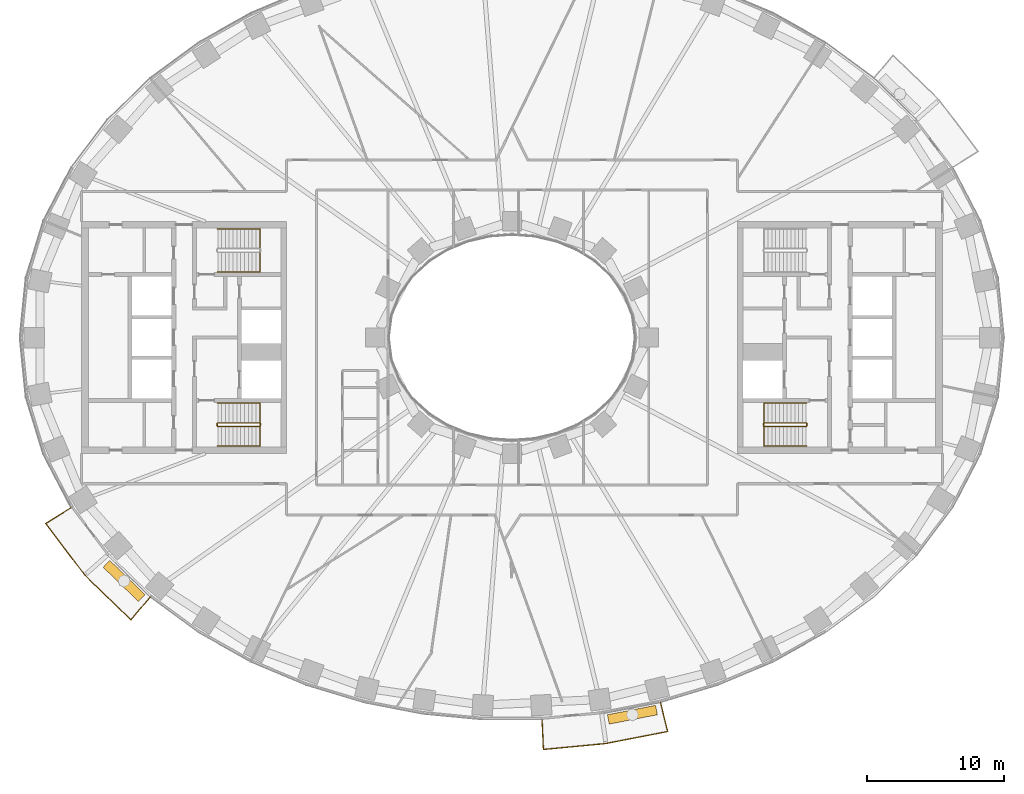
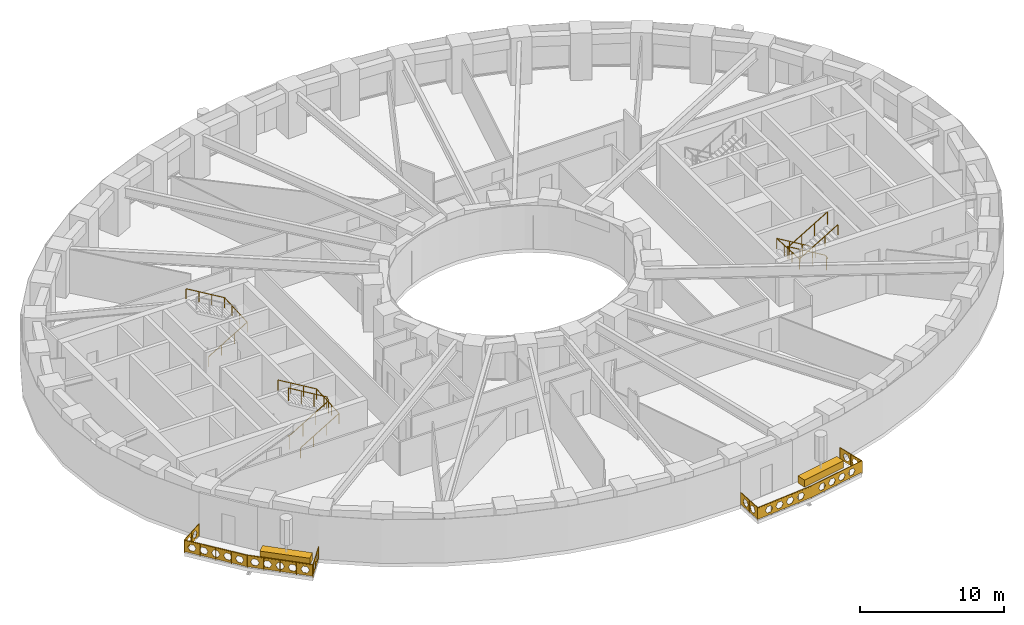
# One storey, part 14 of 16: 7 railings, 2 coverings.
"""IFC4 building model written with IfcOpenShell, lengths in metres."""

from ifc_helpers import new_model, si_unit, direction, frame, origin, origin_2d, place, context, subcontext, project, spatial, polyline, rectangle, outline, extrude, material, type_object, element, save


model = new_model("IFC4")

# Units and contexts
model_context = context("Model", 3, precision=1e-05, world=origin(), true_north=direction((0.0, 1.0)))
body_context = subcontext(model_context, "Body", "Model", "MODEL_VIEW")
ifc_project = project(units=[si_unit("LENGTHUNIT", "METRE"), si_unit("AREAUNIT", "SQUARE_METRE"), si_unit("VOLUMEUNIT", "CUBIC_METRE"), si_unit("PLANEANGLEUNIT", "RADIAN"), si_unit("MASSUNIT", "GRAM", prefix="KILO")], contexts=[model_context])

# Site, building, storey
site_placement = place(None, origin())
site = spatial("IfcSite", under=ifc_project, at=site_placement, CompositionType="ELEMENT")
building_placement = place(site_placement, origin())
building = spatial("IfcBuilding", under=site, at=building_placement, Name="Noorbagh Ring Tower", CompositionType="ELEMENT")
storey_placement = place(building_placement, frame((0.0, 0.0, 54.5)))
storey = spatial("IfcBuildingStorey", under=building, at=storey_placement, Name="L11", CompositionType="ELEMENT", Elevation=54.5)

# Railings
ifc_material_1 = material(Name="Stainless steel", Category="steel")
railing_type_1 = type_object("IfcRailingType", Name="CORE-STAIR-GUARD", PredefinedType="GUARDRAIL", material=ifc_material_1)
railing_1_placement = place(storey_placement, frame((-21.580078125, -6.449951171875, 0.0)))
element("IfcRailing", 1, at=railing_1_placement, inside=storey, type_object=railing_type_1, Name="L11 ST2 stair guard", PredefinedType="GUARDRAIL", context=body_context, shape_type="SweptSolid", body=[
    extrude(rectangle(XDim=0.048095703125, YDim=0.048095703125, at=origin_2d()), frame((0.0, 0.0, 1.076171875), z_axis=(0.0, 1.0, 0.0), x_axis=(-1.0, 0.0, 0.0)), (0.0, 0.0, 1.0), 0.14990234375),
    extrude(rectangle(XDim=0.048095703125, YDim=0.048095703125, at=origin_2d()), frame((0.0, 0.14990234375, 1.076171875), z_axis=(0.188775798145, -0.754182335027, 0.628945707965), x_axis=(0.970072785993, 0.242814311512, 0.0)), (0.0, 0.0, 1.0), 0.26513671875),
    extrude(rectangle(XDim=0.048095703125, YDim=0.048095703125, at=origin_2d()), frame((0.050048828125, -0.050048828125, 1.24267578125), z_axis=(0.859308565015, 0.0, 0.511457515432), x_axis=(0.0, 1.0, 0.0)), (0.0, 0.0, 1.0), 3.58447265625),
    extrude(rectangle(XDim=0.048095703125, YDim=0.048095703125, at=origin_2d()), frame((3.130126953125, -0.050048828125, 3.076171875), z_axis=(0.707106781187, 0.707106781187, 0.0), x_axis=(-0.707106781187, 0.707106781187, 0.0)), (0.0, 0.0, 1.0), 0.07080078125),
    extrude(rectangle(XDim=0.048095703125, YDim=0.048095703125, at=origin_2d()), frame((3.18017578125, 0.0, 3.076171875), z_axis=(0.0, 1.0, 0.0), x_axis=(-1.0, 0.0, 0.0)), (0.0, 0.0, 1.0), 0.14990234375),
    extrude(rectangle(XDim=0.048095703125, YDim=0.048095703125, at=origin_2d()), frame((3.18017578125, 0.14990234375, 3.076171875), z_axis=(-0.27628659633, 0.27628659633, 0.920506074601), x_axis=(-0.707106781187, -0.707106781187, 0.0)), (0.0, 0.0, 1.0), 0.18115234375),
    extrude(rectangle(XDim=0.048095703125, YDim=0.048095703125, at=origin_2d()), frame((3.130126953125, 0.199951171875, 3.24267578125), z_axis=(-0.859308565015, 0.0, 0.511457515432), x_axis=(0.0, -1.0, 0.0)), (0.0, 0.0, 1.0), 3.58447265625),
    extrude(rectangle(XDim=0.0419921875, YDim=0.0419921875, at=origin_2d()), origin(), (0.0, 0.0, 1.0), 1.052001953125),
    extrude(rectangle(XDim=0.0419921875, YDim=0.0419921875, at=origin_2d()), frame((1.07666015625, -0.050048828125, 0.77783203125)), (0.0, 0.0, 1.0), 1.052001953125),
    extrude(rectangle(XDim=0.0419921875, YDim=0.0419921875, at=origin_2d()), frame((2.103515625, -0.050048828125, 1.388916015625)), (0.0, 0.0, 1.0), 1.052001953125),
    extrude(rectangle(XDim=0.0419921875, YDim=0.0419921875, at=origin_2d()), frame((3.130126953125, -0.050048828125, 2.0)), (0.0, 0.0, 1.0), 1.052001953125),
    extrude(rectangle(XDim=0.0419921875, YDim=0.0419921875, at=origin_2d()), frame((3.130126953125, 0.199951171875, 2.166748046875)), (0.0, 0.0, 1.0), 1.052001953125),
    extrude(rectangle(XDim=0.0419921875, YDim=0.0419921875, at=origin_2d()), frame((2.103515625, 0.199951171875, 2.77783203125)), (0.0, 0.0, 1.0), 1.052001953125),
    extrude(rectangle(XDim=0.0419921875, YDim=0.0419921875, at=origin_2d()), frame((1.07666015625, 0.199951171875, 3.388916015625)), (0.0, 0.0, 1.0), 1.052001953125),
    extrude(rectangle(XDim=0.0419921875, YDim=0.0419921875, at=origin_2d()), frame((0.050048828125, 0.199951171875, 4.0)), (0.0, 0.0, 1.0), 1.052001953125),
])
railing_2_placement = place(storey_placement, frame((21.580078125, -6.300048828125, 0.0)))
element("IfcRailing", 2, at=railing_2_placement, inside=storey, type_object=railing_type_1, Name="L11 ST4 stair guard", PredefinedType="GUARDRAIL", context=body_context, shape_type="SweptSolid", body=[
    extrude(rectangle(XDim=0.048095703125, YDim=0.048095703125, at=origin_2d()), frame((0.0, 0.0, 1.076171875), z_axis=(0.0, -1.0, 0.0), x_axis=(1.0, 0.0, 0.0)), (0.0, 0.0, 1.0), 0.14990234375),
    extrude(rectangle(XDim=0.048095703125, YDim=0.048095703125, at=origin_2d()), frame((0.0, -0.14990234375, 1.076171875), z_axis=(-0.188775798145, 0.754182335027, 0.628945707965), x_axis=(-0.970072785993, -0.242814311512, 0.0)), (0.0, 0.0, 1.0), 0.26513671875),
    extrude(rectangle(XDim=0.048095703125, YDim=0.048095703125, at=origin_2d()), frame((-0.050048828125, 0.050048828125, 1.24267578125), z_axis=(-0.859308565015, 0.0, 0.511457515432), x_axis=(0.0, -1.0, 0.0)), (0.0, 0.0, 1.0), 3.58447265625),
    extrude(rectangle(XDim=0.048095703125, YDim=0.048095703125, at=origin_2d()), frame((-3.130126953125, 0.050048828125, 3.076171875), z_axis=(-0.707106781187, -0.707106781187, 0.0), x_axis=(0.707106781187, -0.707106781187, 0.0)), (0.0, 0.0, 1.0), 0.07080078125),
    extrude(rectangle(XDim=0.048095703125, YDim=0.048095703125, at=origin_2d()), frame((-3.18017578125, 0.0, 3.076171875), z_axis=(0.0, -1.0, 0.0), x_axis=(1.0, 0.0, 0.0)), (0.0, 0.0, 1.0), 0.14990234375),
    extrude(rectangle(XDim=0.048095703125, YDim=0.048095703125, at=origin_2d()), frame((-3.18017578125, -0.14990234375, 3.076171875), z_axis=(0.27628659633, -0.27628659633, 0.920506074601), x_axis=(0.707106781187, 0.707106781187, 0.0)), (0.0, 0.0, 1.0), 0.18115234375),
    extrude(rectangle(XDim=0.048095703125, YDim=0.048095703125, at=origin_2d()), frame((-3.130126953125, -0.199951171875, 3.24267578125), z_axis=(0.859308565015, 0.0, 0.511457515432), x_axis=(0.0, 1.0, 0.0)), (0.0, 0.0, 1.0), 3.58447265625),
    extrude(rectangle(XDim=0.0419921875, YDim=0.0419921875, at=origin_2d()), origin(), (0.0, 0.0, 1.0), 1.052001953125),
    extrude(rectangle(XDim=0.0419921875, YDim=0.0419921875, at=origin_2d()), frame((-1.07666015625, 0.050048828125, 0.77783203125)), (0.0, 0.0, 1.0), 1.052001953125),
    extrude(rectangle(XDim=0.0419921875, YDim=0.0419921875, at=origin_2d()), frame((-2.103515625, 0.050048828125, 1.388916015625)), (0.0, 0.0, 1.0), 1.052001953125),
    extrude(rectangle(XDim=0.0419921875, YDim=0.0419921875, at=origin_2d()), frame((-3.130126953125, 0.050048828125, 2.0)), (0.0, 0.0, 1.0), 1.052001953125),
    extrude(rectangle(XDim=0.0419921875, YDim=0.0419921875, at=origin_2d()), frame((-3.130126953125, -0.199951171875, 2.166748046875)), (0.0, 0.0, 1.0), 1.052001953125),
    extrude(rectangle(XDim=0.0419921875, YDim=0.0419921875, at=origin_2d()), frame((-2.103515625, -0.199951171875, 2.77783203125)), (0.0, 0.0, 1.0), 1.052001953125),
    extrude(rectangle(XDim=0.0419921875, YDim=0.0419921875, at=origin_2d()), frame((-1.07666015625, -0.199951171875, 3.388916015625)), (0.0, 0.0, 1.0), 1.052001953125),
    extrude(rectangle(XDim=0.0419921875, YDim=0.0419921875, at=origin_2d()), frame((-0.050048828125, -0.199951171875, 4.0)), (0.0, 0.0, 1.0), 1.052001953125),
])
ifc_material_2 = material(Name="Stainless steel", Category="steel")
railing_type_2 = type_object("IfcRailingType", Name="CORE-STAIR-HANDRAIL", PredefinedType="HANDRAIL", material=ifc_material_2)
railing_3_placement = place(storey_placement, frame((-21.530029296875, 4.800048828125, 0.166748046875)))
element("IfcRailing", 3, at=railing_3_placement, inside=storey, type_object=railing_type_2, Name="L11 ST1 stair handrail", PredefinedType="HANDRAIL", context=body_context, shape_type="SweptSolid", body=[
    extrude(rectangle(XDim=0.048095703125, YDim=0.048095703125, at=origin_2d()), frame((0.0, 0.0, 0.8759765625), z_axis=(0.859308565015, 0.0, 0.511457515432), x_axis=(0.0, 1.0, 0.0)), (0.0, 0.0, 1.0), 3.58447265625),
    extrude(rectangle(XDim=0.048095703125, YDim=0.048095703125, at=origin_2d()), frame((3.080078125, 0.0, 2.708984375), z_axis=(0.0, 0.998601747152, 0.052863509014), x_axis=(-1.0, 0.0, 0.0)), (0.0, 0.0, 1.0), 3.154296875),
    extrude(rectangle(XDim=0.048095703125, YDim=0.048095703125, at=origin_2d()), frame((3.080078125, 3.14990234375, 2.8759765625), z_axis=(-0.859308565015, 0.0, 0.511457515432), x_axis=(0.0, -1.0, 0.0)), (0.0, 0.0, 1.0), 3.58447265625),
    extrude(rectangle(XDim=0.0419921875, YDim=0.0419921875, at=origin_2d()), origin(), (0.0, 0.0, 1.0), 0.851806640625),
    extrude(rectangle(XDim=0.0419921875, YDim=0.0419921875, at=origin_2d()), frame((1.026611328125, 0.0, 0.611083984375)), (0.0, 0.0, 1.0), 0.851806640625),
    extrude(rectangle(XDim=0.0419921875, YDim=0.0419921875, at=origin_2d()), frame((2.053466796875, 0.0, 1.22216796875)), (0.0, 0.0, 1.0), 0.851806640625),
    extrude(rectangle(XDim=0.0419921875, YDim=0.0419921875, at=origin_2d()), frame((3.080078125, 0.0, 1.833251953125)), (0.0, 0.0, 1.0), 0.851806640625),
    extrude(rectangle(XDim=0.0419921875, YDim=0.0419921875, at=origin_2d()), frame((3.080078125, 1.050048828125, 1.888916015625)), (0.0, 0.0, 1.0), 0.851806640625),
    extrude(rectangle(XDim=0.0419921875, YDim=0.0419921875, at=origin_2d()), frame((3.080078125, 2.099853515625, 1.9443359375)), (0.0, 0.0, 1.0), 0.851806640625),
    extrude(rectangle(XDim=0.0419921875, YDim=0.0419921875, at=origin_2d()), frame((3.080078125, 3.14990234375, 2.0)), (0.0, 0.0, 1.0), 0.851806640625),
    extrude(rectangle(XDim=0.0419921875, YDim=0.0419921875, at=origin_2d()), frame((2.053466796875, 3.14990234375, 2.611083984375)), (0.0, 0.0, 1.0), 0.851806640625),
    extrude(rectangle(XDim=0.0419921875, YDim=0.0419921875, at=origin_2d()), frame((1.026611328125, 3.14990234375, 3.22216796875)), (0.0, 0.0, 1.0), 0.851806640625),
    extrude(rectangle(XDim=0.0419921875, YDim=0.0419921875, at=origin_2d()), frame((0.0, 3.14990234375, 3.833251953125)), (0.0, 0.0, 1.0), 0.851806640625),
])
railing_4_placement = place(storey_placement, frame((-21.530029296875, -7.949951171875, 0.166748046875)))
element("IfcRailing", 4, at=railing_4_placement, inside=storey, type_object=railing_type_2, Name="L11 ST2 stair handrail", PredefinedType="HANDRAIL", context=body_context, shape_type="SweptSolid", body=[
    extrude(rectangle(XDim=0.048095703125, YDim=0.048095703125, at=origin_2d()), frame((0.0, 0.0, 0.8759765625), z_axis=(0.859308565015, 0.0, 0.511457515432), x_axis=(0.0, 1.0, 0.0)), (0.0, 0.0, 1.0), 3.58447265625),
    extrude(rectangle(XDim=0.048095703125, YDim=0.048095703125, at=origin_2d()), frame((3.080078125, 0.0, 2.708984375), z_axis=(0.0, 0.998601747152, 0.052863509014), x_axis=(-1.0, 0.0, 0.0)), (0.0, 0.0, 1.0), 3.154296875),
    extrude(rectangle(XDim=0.048095703125, YDim=0.048095703125, at=origin_2d()), frame((3.080078125, 3.14990234375, 2.8759765625), z_axis=(-0.859308565015, 0.0, 0.511457515432), x_axis=(0.0, -1.0, 0.0)), (0.0, 0.0, 1.0), 3.58447265625),
    extrude(rectangle(XDim=0.0419921875, YDim=0.0419921875, at=origin_2d()), origin(), (0.0, 0.0, 1.0), 0.851806640625),
    extrude(rectangle(XDim=0.0419921875, YDim=0.0419921875, at=origin_2d()), frame((1.026611328125, 0.0, 0.611083984375)), (0.0, 0.0, 1.0), 0.851806640625),
    extrude(rectangle(XDim=0.0419921875, YDim=0.0419921875, at=origin_2d()), frame((2.053466796875, 0.0, 1.22216796875)), (0.0, 0.0, 1.0), 0.851806640625),
    extrude(rectangle(XDim=0.0419921875, YDim=0.0419921875, at=origin_2d()), frame((3.080078125, 0.0, 1.833251953125)), (0.0, 0.0, 1.0), 0.851806640625),
    extrude(rectangle(XDim=0.0419921875, YDim=0.0419921875, at=origin_2d()), frame((3.080078125, 1.050048828125, 1.888916015625)), (0.0, 0.0, 1.0), 0.851806640625),
    extrude(rectangle(XDim=0.0419921875, YDim=0.0419921875, at=origin_2d()), frame((3.080078125, 2.099853515625, 1.9443359375)), (0.0, 0.0, 1.0), 0.851806640625),
    extrude(rectangle(XDim=0.0419921875, YDim=0.0419921875, at=origin_2d()), frame((3.080078125, 3.14990234375, 2.0)), (0.0, 0.0, 1.0), 0.851806640625),
    extrude(rectangle(XDim=0.0419921875, YDim=0.0419921875, at=origin_2d()), frame((2.053466796875, 3.14990234375, 2.611083984375)), (0.0, 0.0, 1.0), 0.851806640625),
    extrude(rectangle(XDim=0.0419921875, YDim=0.0419921875, at=origin_2d()), frame((1.026611328125, 3.14990234375, 3.22216796875)), (0.0, 0.0, 1.0), 0.851806640625),
    extrude(rectangle(XDim=0.0419921875, YDim=0.0419921875, at=origin_2d()), frame((0.0, 3.14990234375, 3.833251953125)), (0.0, 0.0, 1.0), 0.851806640625),
])
railing_5_placement = place(storey_placement, frame((21.530029296875, -4.800048828125, 0.166748046875)))
element("IfcRailing", 5, at=railing_5_placement, inside=storey, type_object=railing_type_2, Name="L11 ST4 stair handrail", PredefinedType="HANDRAIL", context=body_context, shape_type="SweptSolid", body=[
    extrude(rectangle(XDim=0.048095703125, YDim=0.048095703125, at=origin_2d()), frame((0.0, 0.0, 0.8759765625), z_axis=(-0.859308565015, 0.0, 0.511457515432), x_axis=(0.0, -1.0, 0.0)), (0.0, 0.0, 1.0), 3.58447265625),
    extrude(rectangle(XDim=0.048095703125, YDim=0.048095703125, at=origin_2d()), frame((-3.080078125, 0.0, 2.708984375), z_axis=(0.0, -0.998601747152, 0.052863509014), x_axis=(1.0, 0.0, 0.0)), (0.0, 0.0, 1.0), 3.154296875),
    extrude(rectangle(XDim=0.048095703125, YDim=0.048095703125, at=origin_2d()), frame((-3.080078125, -3.14990234375, 2.8759765625), z_axis=(0.859308565015, 0.0, 0.511457515432), x_axis=(0.0, 1.0, 0.0)), (0.0, 0.0, 1.0), 3.58447265625),
    extrude(rectangle(XDim=0.0419921875, YDim=0.0419921875, at=origin_2d()), origin(), (0.0, 0.0, 1.0), 0.851806640625),
    extrude(rectangle(XDim=0.0419921875, YDim=0.0419921875, at=origin_2d()), frame((-1.026611328125, 0.0, 0.611083984375)), (0.0, 0.0, 1.0), 0.851806640625),
    extrude(rectangle(XDim=0.0419921875, YDim=0.0419921875, at=origin_2d()), frame((-2.053466796875, 0.0, 1.22216796875)), (0.0, 0.0, 1.0), 0.851806640625),
    extrude(rectangle(XDim=0.0419921875, YDim=0.0419921875, at=origin_2d()), frame((-3.080078125, 0.0, 1.833251953125)), (0.0, 0.0, 1.0), 0.851806640625),
    extrude(rectangle(XDim=0.0419921875, YDim=0.0419921875, at=origin_2d()), frame((-3.080078125, -1.050048828125, 1.888916015625)), (0.0, 0.0, 1.0), 0.851806640625),
    extrude(rectangle(XDim=0.0419921875, YDim=0.0419921875, at=origin_2d()), frame((-3.080078125, -2.099853515625, 1.9443359375)), (0.0, 0.0, 1.0), 0.851806640625),
    extrude(rectangle(XDim=0.0419921875, YDim=0.0419921875, at=origin_2d()), frame((-3.080078125, -3.14990234375, 2.0)), (0.0, 0.0, 1.0), 0.851806640625),
    extrude(rectangle(XDim=0.0419921875, YDim=0.0419921875, at=origin_2d()), frame((-2.053466796875, -3.14990234375, 2.611083984375)), (0.0, 0.0, 1.0), 0.851806640625),
    extrude(rectangle(XDim=0.0419921875, YDim=0.0419921875, at=origin_2d()), frame((-1.026611328125, -3.14990234375, 3.22216796875)), (0.0, 0.0, 1.0), 0.851806640625),
    extrude(rectangle(XDim=0.0419921875, YDim=0.0419921875, at=origin_2d()), frame((0.0, -3.14990234375, 3.833251953125)), (0.0, 0.0, 1.0), 0.851806640625),
])
ifc_material_3 = material(Name="Steel S275 black powder-coated", Category="steel")
railing_type_3 = type_object("IfcRailingType", Name="ENV-GUARD", PredefinedType="GUARDRAIL", material=ifc_material_3)
railing_6_placement = place(storey_placement, frame((-32.255126953125, -12.434814453125, 0.0)))
element("IfcRailing", 6, at=railing_6_placement, inside=storey, type_object=railing_type_3, Name="Balcony guard BS01", PredefinedType="GUARDRAIL", context=body_context, shape_type="SweptSolid", body=[
    extrude(rectangle(XDim=0.048095703125, YDim=0.048095703125, at=origin_2d()), frame((0.0, 0.0, 1.076171875), z_axis=(-0.844852397829, -0.534999463442, 0.0), x_axis=(0.534999463442, -0.844852397829, 0.0)), (0.0, 0.0, 1.0), 2.207763671875),
    extrude(rectangle(XDim=0.048095703125, YDim=0.048095703125, at=origin_2d()), frame((-1.865234375, -1.18115234375, 1.076171875), z_axis=(0.604001613322, -0.796983093362, 0.0), x_axis=(0.796983093362, 0.604001613322, 0.0)), (0.0, 0.0, 1.0), 4.7353515625),
    extrude(rectangle(XDim=0.048095703125, YDim=0.048095703125, at=origin_2d()), frame((0.994873046875, -4.955078125, 1.076171875), z_axis=(0.717212632946, -0.696854388766, 0.0), x_axis=(0.696854388766, 0.717212632946, 0.0)), (0.0, 0.0, 1.0), 4.700927734375),
    extrude(rectangle(XDim=0.048095703125, YDim=0.048095703125, at=origin_2d()), frame((4.366455078125, -8.23095703125, 1.076171875), z_axis=(0.646413574048, 0.762987215677, 0.0), x_axis=(-0.762987215677, 0.646413574048, 0.0)), (0.0, 0.0, 1.0), 2.205322265625),
    extrude(rectangle(XDim=0.0419921875, YDim=0.0419921875, at=origin_2d()), origin(), (0.0, 0.0, 1.0), 1.052001953125),
    extrude(rectangle(XDim=0.0419921875, YDim=0.0419921875, at=origin_2d()), frame((-0.9326171875, -0.590576171875, 0.0)), (0.0, 0.0, 1.0), 1.052001953125),
    extrude(rectangle(XDim=0.0419921875, YDim=0.0419921875, at=origin_2d()), frame((-1.865234375, -1.18115234375, 0.0)), (0.0, 0.0, 1.0), 1.052001953125),
    extrude(rectangle(XDim=0.0419921875, YDim=0.0419921875, at=origin_2d()), frame((-1.150146484375, -2.12451171875, 0.0)), (0.0, 0.0, 1.0), 1.052001953125),
    extrude(rectangle(XDim=0.0419921875, YDim=0.0419921875, at=origin_2d()), frame((-0.43505859375, -3.068115234375, 0.0)), (0.0, 0.0, 1.0), 1.052001953125),
    extrude(rectangle(XDim=0.0419921875, YDim=0.0419921875, at=origin_2d()), frame((0.27978515625, -4.01171875, 0.0)), (0.0, 0.0, 1.0), 1.052001953125),
    extrude(rectangle(XDim=0.0419921875, YDim=0.0419921875, at=origin_2d()), frame((0.994873046875, -4.955078125, 0.0)), (0.0, 0.0, 1.0), 1.052001953125),
    extrude(rectangle(XDim=0.0419921875, YDim=0.0419921875, at=origin_2d()), frame((1.837890625, -5.77392578125, 0.0)), (0.0, 0.0, 1.0), 1.052001953125),
    extrude(rectangle(XDim=0.0419921875, YDim=0.0419921875, at=origin_2d()), frame((2.6806640625, -6.593017578125, 0.0)), (0.0, 0.0, 1.0), 1.052001953125),
    extrude(rectangle(XDim=0.0419921875, YDim=0.0419921875, at=origin_2d()), frame((3.5234375, -7.412109375, 0.0)), (0.0, 0.0, 1.0), 1.052001953125),
    extrude(rectangle(XDim=0.0419921875, YDim=0.0419921875, at=origin_2d()), frame((4.366455078125, -8.23095703125, 0.0)), (0.0, 0.0, 1.0), 1.052001953125),
    extrude(rectangle(XDim=0.0419921875, YDim=0.0419921875, at=origin_2d()), frame((5.0791015625, -7.3896484375, 0.0)), (0.0, 0.0, 1.0), 1.052001953125),
    extrude(rectangle(XDim=0.0419921875, YDim=0.0419921875, at=origin_2d()), frame((5.7919921875, -6.54833984375, 0.0)), (0.0, 0.0, 1.0), 1.052001953125),
    extrude(outline(polyline([(0.0, 0.10009765625), (2.207763671875, 0.10009765625), (2.207763671875, 1.031982421875), (0.0, 1.031982421875), (0.0, 0.10009765625)]), holes=[polyline([(0.9638671875, 0.56591796875), (0.808837890625, 0.83447265625), (0.498779296875, 0.83447265625), (0.343994140625, 0.56591796875), (0.498779296875, 0.297607421875), (0.808837890625, 0.297607421875), (0.9638671875, 0.56591796875)]), polyline([(1.86376953125, 0.56591796875), (1.708984375, 0.83447265625), (1.39892578125, 0.83447265625), (1.243896484375, 0.56591796875), (1.39892578125, 0.297607421875), (1.708984375, 0.297607421875), (1.86376953125, 0.56591796875)])]), frame((0.00537109375, -0.008544921875, 0.0), z_axis=(-0.534999463442, 0.844852397829, 0.0), x_axis=(-0.844852397829, -0.534999463442, 0.0)), (0.0, 0.0, 1.0), 0.02001953125),
    extrude(outline(polyline([(0.0, 0.10009765625), (4.7353515625, 0.10009765625), (4.7353515625, 1.031982421875), (0.0, 1.031982421875), (0.0, 0.10009765625)]), holes=[polyline([(0.877685546875, 0.56591796875), (0.72265625, 0.83447265625), (0.41259765625, 0.83447265625), (0.257568359375, 0.56591796875), (0.41259765625, 0.297607421875), (0.72265625, 0.297607421875), (0.877685546875, 0.56591796875)]), polyline([(1.777587890625, 0.56591796875), (1.62255859375, 0.83447265625), (1.312744140625, 0.83447265625), (1.15771484375, 0.56591796875), (1.312744140625, 0.297607421875), (1.62255859375, 0.297607421875), (1.777587890625, 0.56591796875)]), polyline([(2.677734375, 0.56591796875), (2.522705078125, 0.83447265625), (2.212646484375, 0.83447265625), (2.0576171875, 0.56591796875), (2.212646484375, 0.297607421875), (2.522705078125, 0.297607421875), (2.677734375, 0.56591796875)]), polyline([(3.57763671875, 0.56591796875), (3.422607421875, 0.83447265625), (3.112548828125, 0.83447265625), (2.95751953125, 0.56591796875), (3.112548828125, 0.297607421875), (3.422607421875, 0.297607421875), (3.57763671875, 0.56591796875)]), polyline([(4.4775390625, 0.56591796875), (4.32275390625, 0.83447265625), (4.0126953125, 0.83447265625), (3.857666015625, 0.56591796875), (4.0126953125, 0.297607421875), (4.32275390625, 0.297607421875), (4.4775390625, 0.56591796875)])]), frame((-1.857177734375, -1.175048828125, 0.0), z_axis=(-0.796983093362, -0.604001613322, 0.0), x_axis=(0.604001613322, -0.796983093362, 0.0)), (0.0, 0.0, 1.0), 0.02001953125),
    extrude(outline(polyline([(0.0, 0.10009765625), (4.700927734375, 0.10009765625), (4.700927734375, 1.031982421875), (0.0, 1.031982421875), (0.0, 0.10009765625)]), holes=[polyline([(0.860595703125, 0.56591796875), (0.70556640625, 0.83447265625), (0.3955078125, 0.83447265625), (0.240478515625, 0.56591796875), (0.3955078125, 0.297607421875), (0.70556640625, 0.297607421875), (0.860595703125, 0.56591796875)]), polyline([(1.760498046875, 0.56591796875), (1.60546875, 0.83447265625), (1.29541015625, 0.83447265625), (1.140380859375, 0.56591796875), (1.29541015625, 0.297607421875), (1.60546875, 0.297607421875), (1.760498046875, 0.56591796875)]), polyline([(2.660400390625, 0.56591796875), (2.50537109375, 0.83447265625), (2.195556640625, 0.83447265625), (2.04052734375, 0.56591796875), (2.195556640625, 0.297607421875), (2.50537109375, 0.297607421875), (2.660400390625, 0.56591796875)]), polyline([(3.560546875, 0.56591796875), (3.405517578125, 0.83447265625), (3.095458984375, 0.83447265625), (2.9404296875, 0.56591796875), (3.095458984375, 0.297607421875), (3.405517578125, 0.297607421875), (3.560546875, 0.56591796875)]), polyline([(4.46044921875, 0.56591796875), (4.305419921875, 0.83447265625), (3.995361328125, 0.83447265625), (3.840576171875, 0.56591796875), (3.995361328125, 0.297607421875), (4.305419921875, 0.297607421875), (4.46044921875, 0.56591796875)])]), frame((1.001953125, -4.947998046875, 0.0), z_axis=(-0.696854388766, -0.717212632946, 0.0), x_axis=(0.717212632946, -0.696854388766, 0.0)), (0.0, 0.0, 1.0), 0.02001953125),
    extrude(outline(polyline([(0.0, 0.10009765625), (2.205322265625, 0.10009765625), (2.205322265625, 1.031982421875), (0.0, 1.031982421875), (0.0, 0.10009765625)]), holes=[polyline([(0.962646484375, 0.56591796875), (0.8076171875, 0.83447265625), (0.49755859375, 0.83447265625), (0.342529296875, 0.56591796875), (0.49755859375, 0.297607421875), (0.8076171875, 0.297607421875), (0.962646484375, 0.56591796875)]), polyline([(1.862548828125, 0.56591796875), (1.707763671875, 0.83447265625), (1.397705078125, 0.83447265625), (1.24267578125, 0.56591796875), (1.397705078125, 0.297607421875), (1.707763671875, 0.297607421875), (1.862548828125, 0.56591796875)])]), frame((4.35888671875, -8.224609375, 0.0), z_axis=(0.762987215677, -0.646413574048, 0.0), x_axis=(0.646413574048, 0.762987215677, 0.0)), (0.0, 0.0, 1.0), 0.02001953125),
])
railing_7_placement = place(storey_placement, frame((2.193115234375, -27.947998046875, 0.0)))
element("IfcRailing", 7, at=railing_7_placement, inside=storey, type_object=railing_type_3, Name="Balcony guard BS04", PredefinedType="GUARDRAIL", context=body_context, shape_type="SweptSolid", body=[
    extrude(rectangle(XDim=0.048095703125, YDim=0.048095703125, at=origin_2d()), frame((0.0, 0.0, 1.076171875), z_axis=(0.047554616162, -0.998868639252, 0.0), x_axis=(0.998868639252, 0.047554616162, 0.0)), (0.0, 0.0, 1.0), 2.202392578125),
    extrude(rectangle(XDim=0.048095703125, YDim=0.048095703125, at=origin_2d()), frame((0.104736328125, -2.199951171875, 1.076171875), z_axis=(0.995477555764, 0.094997031379, 0.0), x_axis=(-0.094997031379, 0.995477555764, 0.0)), (0.0, 0.0, 1.0), 4.59765625),
    extrude(rectangle(XDim=0.048095703125, YDim=0.048095703125, at=origin_2d()), frame((4.681640625, -1.76318359375, 1.076171875), z_axis=(0.981625049064, 0.1908199755, 0.0), x_axis=(-0.1908199755, 0.981625049064, 0.0)), (0.0, 0.0, 1.0), 4.603271484375),
    extrude(rectangle(XDim=0.048095703125, YDim=0.048095703125, at=origin_2d()), frame((9.200439453125, -0.884765625, 1.076171875), z_axis=(-0.239848558412, 0.970810315679, 0.0), x_axis=(-0.970810315679, -0.239848558412, 0.0)), (0.0, 0.0, 1.0), 2.20263671875),
    extrude(rectangle(XDim=0.0419921875, YDim=0.0419921875, at=origin_2d()), origin(), (0.0, 0.0, 1.0), 1.052001953125),
    extrude(rectangle(XDim=0.0419921875, YDim=0.0419921875, at=origin_2d()), frame((0.05224609375, -1.10009765625, 0.0)), (0.0, 0.0, 1.0), 1.052001953125),
    extrude(rectangle(XDim=0.0419921875, YDim=0.0419921875, at=origin_2d()), frame((0.104736328125, -2.199951171875, 0.0)), (0.0, 0.0, 1.0), 1.052001953125),
    extrude(rectangle(XDim=0.0419921875, YDim=0.0419921875, at=origin_2d()), frame((1.2490234375, -2.0908203125, 0.0)), (0.0, 0.0, 1.0), 1.052001953125),
    extrude(rectangle(XDim=0.0419921875, YDim=0.0419921875, at=origin_2d()), frame((2.39306640625, -1.9814453125, 0.0)), (0.0, 0.0, 1.0), 1.052001953125),
    extrude(rectangle(XDim=0.0419921875, YDim=0.0419921875, at=origin_2d()), frame((3.537353515625, -1.872314453125, 0.0)), (0.0, 0.0, 1.0), 1.052001953125),
    extrude(rectangle(XDim=0.0419921875, YDim=0.0419921875, at=origin_2d()), frame((4.681640625, -1.76318359375, 0.0)), (0.0, 0.0, 1.0), 1.052001953125),
    extrude(rectangle(XDim=0.0419921875, YDim=0.0419921875, at=origin_2d()), frame((5.811279296875, -1.54345703125, 0.0)), (0.0, 0.0, 1.0), 1.052001953125),
    extrude(rectangle(XDim=0.0419921875, YDim=0.0419921875, at=origin_2d()), frame((6.94091796875, -1.323974609375, 0.0)), (0.0, 0.0, 1.0), 1.052001953125),
    extrude(rectangle(XDim=0.0419921875, YDim=0.0419921875, at=origin_2d()), frame((8.07080078125, -1.1044921875, 0.0)), (0.0, 0.0, 1.0), 1.052001953125),
    extrude(rectangle(XDim=0.0419921875, YDim=0.0419921875, at=origin_2d()), frame((9.200439453125, -0.884765625, 0.0)), (0.0, 0.0, 1.0), 1.052001953125),
    extrude(rectangle(XDim=0.0419921875, YDim=0.0419921875, at=origin_2d()), frame((8.936279296875, 0.1845703125, 0.0)), (0.0, 0.0, 1.0), 1.052001953125),
    extrude(rectangle(XDim=0.0419921875, YDim=0.0419921875, at=origin_2d()), frame((8.672119140625, 1.253662109375, 0.0)), (0.0, 0.0, 1.0), 1.052001953125),
    extrude(outline(polyline([(0.0, 0.10009765625), (2.202392578125, 0.10009765625), (2.202392578125, 1.031982421875), (0.0, 1.031982421875), (0.0, 0.10009765625)]), holes=[polyline([(0.961181640625, 0.56591796875), (0.80615234375, 0.83447265625), (0.496337890625, 0.83447265625), (0.34130859375, 0.56591796875), (0.496337890625, 0.297607421875), (0.80615234375, 0.297607421875), (0.961181640625, 0.56591796875)]), polyline([(1.861328125, 0.56591796875), (1.706298828125, 0.83447265625), (1.396240234375, 0.83447265625), (1.2412109375, 0.56591796875), (1.396240234375, 0.297607421875), (1.706298828125, 0.297607421875), (1.861328125, 0.56591796875)])]), frame((0.010009765625, 0.00048828125, 0.0), z_axis=(-0.998868639252, -0.047554616162, 0.0), x_axis=(0.047554616162, -0.998868639252, 0.0)), (0.0, 0.0, 1.0), 0.02001953125),
    extrude(outline(polyline([(0.0, 0.10009765625), (4.59765625, 0.10009765625), (4.59765625, 1.031982421875), (0.0, 1.031982421875), (0.0, 0.10009765625)]), holes=[polyline([(1.2587890625, 0.56591796875), (1.103759765625, 0.83447265625), (0.7939453125, 0.83447265625), (0.638916015625, 0.56591796875), (0.7939453125, 0.297607421875), (1.103759765625, 0.297607421875), (1.2587890625, 0.56591796875)]), polyline([(2.158935546875, 0.56591796875), (2.00390625, 0.83447265625), (1.69384765625, 0.83447265625), (1.538818359375, 0.56591796875), (1.69384765625, 0.297607421875), (2.00390625, 0.297607421875), (2.158935546875, 0.56591796875)]), polyline([(3.058837890625, 0.56591796875), (2.90380859375, 0.83447265625), (2.59375, 0.83447265625), (2.43896484375, 0.56591796875), (2.59375, 0.297607421875), (2.90380859375, 0.297607421875), (3.058837890625, 0.56591796875)]), polyline([(3.958740234375, 0.56591796875), (3.803955078125, 0.83447265625), (3.493896484375, 0.83447265625), (3.3388671875, 0.56591796875), (3.493896484375, 0.297607421875), (3.803955078125, 0.297607421875), (3.958740234375, 0.56591796875)])]), frame((0.103759765625, -2.18994140625, 0.0), z_axis=(0.094997031379, -0.995477555764, 0.0), x_axis=(0.995477555764, 0.094997031379, 0.0)), (0.0, 0.0, 1.0), 0.02001953125),
    extrude(outline(polyline([(0.0, 0.10009765625), (4.603271484375, 0.10009765625), (4.603271484375, 1.031982421875), (0.0, 1.031982421875), (0.0, 0.10009765625)]), holes=[polyline([(1.26171875, 0.56591796875), (1.106689453125, 0.83447265625), (0.796630859375, 0.83447265625), (0.6416015625, 0.56591796875), (0.796630859375, 0.297607421875), (1.106689453125, 0.297607421875), (1.26171875, 0.56591796875)]), polyline([(2.16162109375, 0.56591796875), (2.006591796875, 0.83447265625), (1.69677734375, 0.83447265625), (1.541748046875, 0.56591796875), (1.69677734375, 0.297607421875), (2.006591796875, 0.297607421875), (2.16162109375, 0.56591796875)]), polyline([(3.061767578125, 0.56591796875), (2.90673828125, 0.83447265625), (2.5966796875, 0.83447265625), (2.441650390625, 0.56591796875), (2.5966796875, 0.297607421875), (2.90673828125, 0.297607421875), (3.061767578125, 0.56591796875)]), polyline([(3.961669921875, 0.56591796875), (3.806640625, 0.83447265625), (3.49658203125, 0.83447265625), (3.341796875, 0.56591796875), (3.49658203125, 0.297607421875), (3.806640625, 0.297607421875), (3.961669921875, 0.56591796875)])]), frame((4.6796875, -1.75341796875, 0.0), z_axis=(0.1908199755, -0.981625049064, 0.0), x_axis=(0.981625049064, 0.1908199755, 0.0)), (0.0, 0.0, 1.0), 0.02001953125),
    extrude(outline(polyline([(0.0, 0.10009765625), (2.20263671875, 0.10009765625), (2.20263671875, 1.031982421875), (0.0, 1.031982421875), (0.0, 0.10009765625)]), holes=[polyline([(0.96142578125, 0.56591796875), (0.806396484375, 0.83447265625), (0.496337890625, 0.83447265625), (0.34130859375, 0.56591796875), (0.496337890625, 0.297607421875), (0.806396484375, 0.297607421875), (0.96142578125, 0.56591796875)]), polyline([(1.861328125, 0.56591796875), (1.706298828125, 0.83447265625), (1.396240234375, 0.83447265625), (1.241455078125, 0.56591796875), (1.396240234375, 0.297607421875), (1.706298828125, 0.297607421875), (1.861328125, 0.56591796875)])]), frame((9.190673828125, -0.88720703125, 0.0), z_axis=(0.970810315679, 0.239848558412, 0.0), x_axis=(-0.239848558412, 0.970810315679, 0.0)), (0.0, 0.0, 1.0), 0.02001953125),
])

# Coverings
ifc_material_4 = material(Name="Concrete C30/37 planter with soil", Category="concrete")
covering_type = type_object("IfcCoveringType", Name="ENV-PLANTER", PredefinedType="CLADDING", material=ifc_material_4)
covering_1_placement = place(storey_placement, frame((-28.3837890625, -17.814208984375, 0.0), z_axis=(0.0, 0.0, 1.0), x_axis=(0.717224548362, -0.696842125038, 0.0)))
element("IfcCovering", 8, at=covering_1_placement, inside=storey, type_object=covering_type, Name="PLANTER BS01", ObjectType="PLANTER", PredefinedType="CLADDING", context=body_context, shape_type="SweptSolid", body=[
    extrude(rectangle(XDim=3.584228515625, YDim=0.699951171875, at=origin_2d()), origin(), (0.0, 0.0, 1.0), 0.60009765625),
])
covering_2_placement = place(storey_placement, frame((8.807861328125, -27.603515625, 0.0), z_axis=(0.0, 0.0, 1.0), x_axis=(0.981624952922, 0.190820470077, 0.0)))
element("IfcCovering", 9, at=covering_2_placement, inside=storey, type_object=covering_type, Name="PLANTER BS04", ObjectType="PLANTER", PredefinedType="CLADDING", context=body_context, shape_type="SweptSolid", body=[
    extrude(rectangle(XDim=3.586181640625, YDim=0.699951171875, at=origin_2d()), origin(), (0.0, 0.0, 1.0), 0.60009765625),
])

save(model, "model.ifc")
